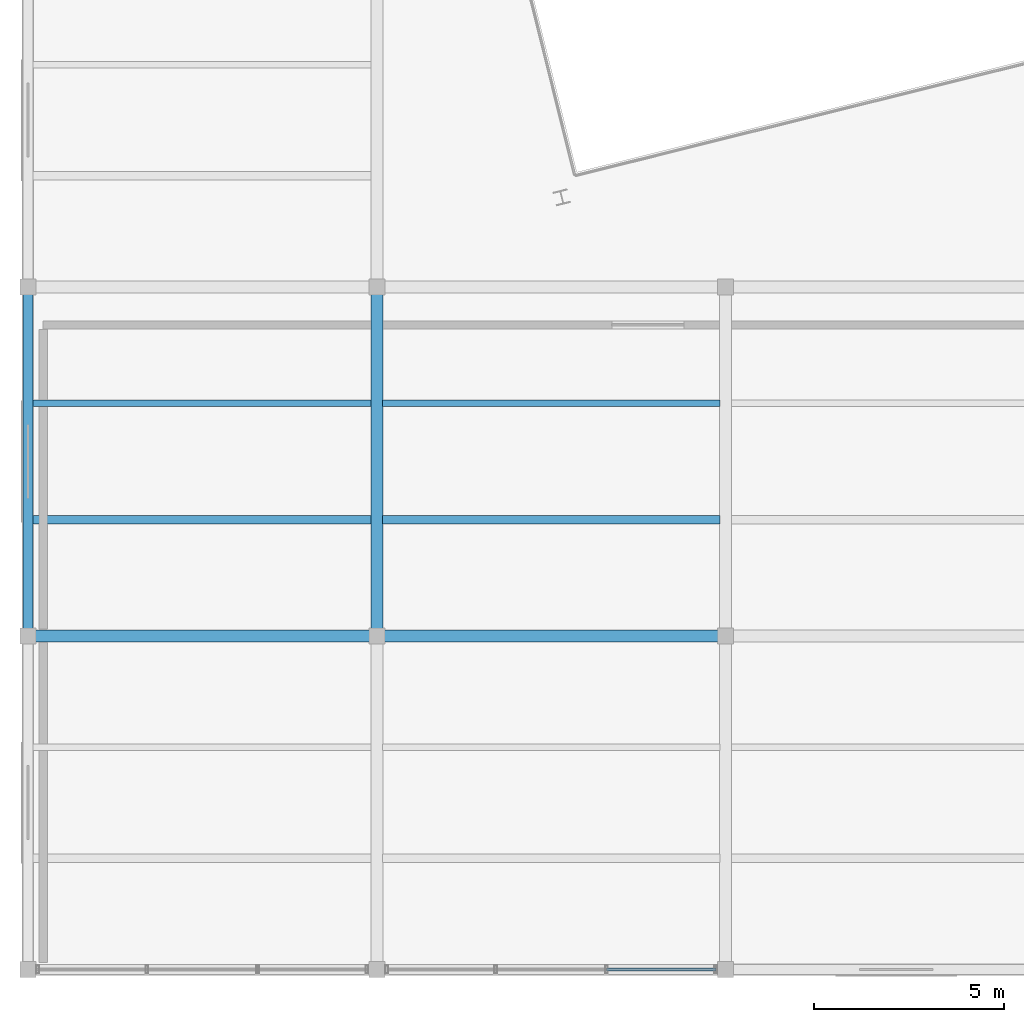
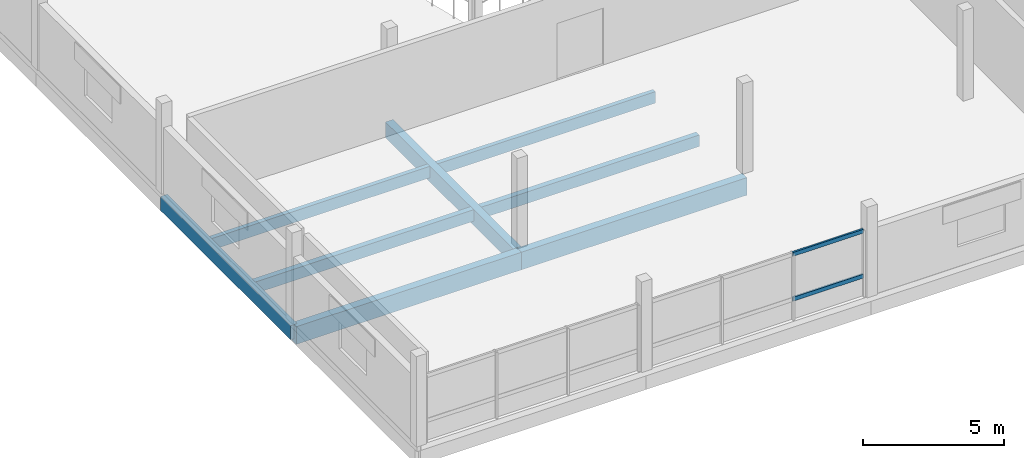
# One storey, part 7 of 47: 8 beams, 2 members, 1 element without a shape of its own.
"""IFC4 building model written with IfcOpenShell, lengths in metres."""

import ifcopenshell
import ifcopenshell.guid

model = None  # the IFC model being written
_history = None  # IfcOwnerHistory: only IFC2X3 demands one
_inside = {}  # id of a spatial element -> (the spatial element, [elements in it])
_under = {}  # id of a project, library or spatial element -> (it, [spatial elements below it])
_declared = {}  # id of a project -> (the project, [libraries it declares])
_typed = {}  # id of a type object -> (the type object, [elements of that type])
_made_of = {}  # id of a material, layer set ... -> (it, [elements and type objects made of it])


def new_model(schema):
    """Start an empty IFC model of exactly this schema.

    Asked for "IFC4X3", IfcOpenShell would pick the latest addendum, in which some entities
    have other attributes; the version numbers below select the first issue.
    IFC2X3 requires an IfcOwnerHistory on every rooted entity: one is made here for all.
    """
    global model, _history
    if schema == "IFC4X3":
        model = ifcopenshell.file(schema_version=(4, 3, 0, 0))
    else:
        model = ifcopenshell.file(schema=schema)
    _inside.clear()
    _under.clear()
    _declared.clear()
    _typed.clear()
    _made_of.clear()
    _history = None
    if model.schema == "IFC2X3":
        org = make("IfcOrganization", Name="unknown")
        user = make(
            "IfcPersonAndOrganization",
            ThePerson=make("IfcPerson", FamilyName="unknown"),
            TheOrganization=org,
        )
        app = make(
            "IfcApplication",
            ApplicationDeveloper=org,
            Version="unknown",
            ApplicationFullName="unknown",
            ApplicationIdentifier="unknown",
        )
        _history = make(
            "IfcOwnerHistory",
            OwningUser=user,
            OwningApplication=app,
            ChangeAction="ADDED",
            CreationDate=0,
        )
    return model


def make(cls, **values):
    """One entity of the class cls with the attributes given. An attribute that is None is left unset."""
    return model.create_entity(
        cls, **{name: value for name, value in values.items() if value is not None}
    )


def rooted(cls, **values):
    """An entity with a GlobalId (a new one), such as an element, a storey or a relation."""
    return make(cls, GlobalId=ifcopenshell.guid.new(), OwnerHistory=_history, **values)


def si_unit(unit_type, name, prefix=None):
    """IfcSIUnit, for example si_unit("LENGTHUNIT", "METRE", prefix="MILLI")."""
    return make("IfcSIUnit", UnitType=unit_type, Prefix=prefix, Name=name)


def assignment(units):
    """IfcUnitAssignment: the units of a project."""
    return None if units is None else make("IfcUnitAssignment", Units=units)


def point(xyz):
    """IfcCartesianPoint."""
    return None if xyz is None else make("IfcCartesianPoint", Coordinates=xyz)


def direction(xyz):
    """IfcDirection."""
    return None if xyz is None else make("IfcDirection", DirectionRatios=xyz)


def frame(location, z_axis=None, x_axis=None):
    """IfcAxis2Placement3D, a coordinate frame: its origin and axes. An axis left out is left unset."""
    return make(
        "IfcAxis2Placement3D",
        Location=point(location),
        Axis=direction(z_axis),
        RefDirection=direction(x_axis),
    )


def frame_2d(location, x_axis=None):
    """IfcAxis2Placement2D, a coordinate frame in the plane: its origin and x axis."""
    return make(
        "IfcAxis2Placement2D", Location=point(location), RefDirection=direction(x_axis)
    )


def origin():
    """The frame at (0, 0, 0) with its axes left unset."""
    return frame((0.0, 0.0, 0.0))


def origin_2d():
    """The frame at (0, 0) in the plane with its x axis left unset."""
    return frame_2d((0.0, 0.0))


def place(relative_to, where):
    """IfcLocalPlacement: puts the frame where relative to a parent placement (None: the world)."""
    return make(
        "IfcLocalPlacement", PlacementRelTo=relative_to, RelativePlacement=where
    )


def context(
    kind, dimensions, precision=None, world=None, true_north=None, identifier=None
):
    """IfcGeometricRepresentationContext, for example the 3D "Model" context."""
    return make(
        "IfcGeometricRepresentationContext",
        ContextIdentifier=identifier,
        ContextType=kind,
        CoordinateSpaceDimension=dimensions,
        Precision=precision,
        WorldCoordinateSystem=world,
        TrueNorth=true_north,
    )


def subcontext(parent, identifier, kind, view, scale=None):
    """IfcGeometricRepresentationSubContext, for example "Body" below "Model"."""
    return make(
        "IfcGeometricRepresentationSubContext",
        ContextIdentifier=identifier,
        ContextType=kind,
        ParentContext=parent,
        TargetScale=scale,
        TargetView=view,
    )


def project(units=None, contexts=None):
    """IfcProject with its units and contexts."""
    return rooted(
        "IfcProject",
        Name="project",
        RepresentationContexts=contexts,
        UnitsInContext=assignment(units),
    )


def spatial(cls, under=None, at=None, **own):
    """A site, building, storey or space (cls), placed at a placement, below another one or the project."""
    s = rooted(cls, ObjectPlacement=at, **own)
    if under is not None:
        _under.setdefault(under.id(), (under, []))[1].append(s)
    return s


def profile(cls, at=None, kind="AREA", **sizes):
    """A parametric profile (cls). Its sizes go by their IFC names, for example OverallWidth=200.0."""
    return make(cls, ProfileType=kind, Position=at, **sizes)


def rectangle(**sizes):
    """IfcRectangleProfileDef."""
    return profile("IfcRectangleProfileDef", **sizes)


def hollow_rectangle(**sizes):
    """IfcRectangleHollowProfileDef."""
    return profile("IfcRectangleHollowProfileDef", **sizes)


def extrude(swept, where, along, depth):
    """IfcExtrudedAreaSolid: the profile swept, set in the frame where, extruded along a direction by depth."""
    return make(
        "IfcExtrudedAreaSolid",
        SweptArea=swept,
        Position=where,
        ExtrudedDirection=direction(along),
        Depth=depth,
    )


def shape(context_of_items, identifier, shape_type, items):
    """IfcShapeRepresentation: the items that make up one representation, for example the "Body"."""
    return make(
        "IfcShapeRepresentation",
        ContextOfItems=context_of_items,
        RepresentationIdentifier=identifier,
        RepresentationType=shape_type,
        Items=items,
    )


def material(Name=None, Category=None):
    """IfcMaterial."""
    return make("IfcMaterial", Name=Name, Category=Category)


def layer(
    of_material, thickness, ventilated=None, Name=None, Category=None, Priority=None
):
    """IfcMaterialLayer: one layer of a wall or slab, of a material (None: an air gap)."""
    return make(
        "IfcMaterialLayer",
        Material=of_material,
        LayerThickness=thickness,
        IsVentilated=ventilated,
        Name=Name,
        Category=Category,
        Priority=Priority,
    )


def layer_set(layers, Name=None):
    """IfcMaterialLayerSet."""
    return make("IfcMaterialLayerSet", MaterialLayers=layers, LayerSetName=Name)


def material_profile(
    of_material, cross_section, Name=None, Category=None, Priority=None
):
    """IfcMaterialProfile: a cross section and its material."""
    return make(
        "IfcMaterialProfile",
        Name=Name,
        Material=of_material,
        Profile=cross_section,
        Priority=Priority,
        Category=Category,
    )


def profile_set(profiles, Name=None, composite=None):
    """IfcMaterialProfileSet."""
    return make(
        "IfcMaterialProfileSet",
        Name=Name,
        MaterialProfiles=profiles,
        CompositeProfile=composite,
    )


def made_of(thing, what):
    """Note that an element or type object is made of a material, layer set ...; save() writes the relation."""
    if what is not None:
        _made_of.setdefault(what.id(), (what, []))[1].append(thing)
    return thing


def type_object(cls, material=None, **own):
    """A type object (cls), such as IfcWallType, which elements share."""
    return made_of(rooted(cls, **own), material)


def element(
    cls,
    number,
    at=None,
    inside=None,
    cuts=None,
    type_object=None,
    material=None,
    context=None,
    identifier="Body",
    shape_type=None,
    held_by="IfcProductDefinitionShape",
    body=None,
    shapes=None,
    **own,
):
    """One element of the class cls, such as IfcWall. Its Tag is "e" and its number.

    at: its placement. inside: the storey or other place that contains it. cuts: it is an
    opening in that element (IfcRelVoidsElement). A single representation is given by context,
    identifier, shape_type and body (its items); several are given by shapes. held_by: the class
    of the entity that holds the representations. save() writes the other relations.
    """
    e = rooted(cls, Tag="e%d" % number, ObjectPlacement=at, **own)
    if body is not None:
        shapes = [shape(context, identifier, shape_type, body)]
    if shapes is not None:
        e.Representation = make(held_by, Representations=shapes)
    if inside is not None:
        _inside.setdefault(inside.id(), (inside, []))[1].append(e)
    if cuts is not None:
        rooted(
            "IfcRelVoidsElement", RelatingBuildingElement=cuts, RelatedOpeningElement=e
        )
    if type_object is not None:
        _typed.setdefault(type_object.id(), (type_object, []))[1].append(e)
    return made_of(e, material)


def aggregate(whole, parts):
    """IfcRelAggregates: a whole, such as a stair, and the parts it consists of."""
    return rooted("IfcRelAggregates", RelatingObject=whole, RelatedObjects=parts)


def save(model, path):
    """Write the relations noted so far, then the file.

    IfcRelAggregates (storeys below a building ...), IfcRelContainedInSpatialStructure (elements
    in a storey), IfcRelDefinesByType, IfcRelAssociatesMaterial and IfcRelDeclares: one each for
    every whole, place, type object, material and project.
    """
    for whole, parts in _under.values():
        aggregate(whole, parts)
    for where, things in _inside.values():
        rooted(
            "IfcRelContainedInSpatialStructure",
            RelatedElements=things,
            RelatingStructure=where,
        )
    for kind, things in _typed.values():
        rooted("IfcRelDefinesByType", RelatedObjects=things, RelatingType=kind)
    for what, things in _made_of.values():
        rooted("IfcRelAssociatesMaterial", RelatedObjects=things, RelatingMaterial=what)
    for by, libraries in _declared.values():
        rooted("IfcRelDeclares", RelatingContext=by, RelatedDefinitions=libraries)
    model.write(path)


model = new_model("IFC4")

# Units and contexts
model_context = context("Model", 3, precision=1e-05, world=origin(), true_north=direction((0.0, 1.0)))
body_context = subcontext(model_context, "Body", "Model", "MODEL_VIEW")
ifc_project = project(units=[si_unit("LENGTHUNIT", "METRE"), si_unit("AREAUNIT", "SQUARE_METRE"), si_unit("VOLUMEUNIT", "CUBIC_METRE"), si_unit("PLANEANGLEUNIT", "RADIAN"), si_unit("MASSUNIT", "GRAM", prefix="KILO")], contexts=[model_context])

# Site, building, storey
site_placement = place(None, origin())
site = spatial("IfcSite", under=ifc_project, at=site_placement, CompositionType="ELEMENT")
building_placement = place(site_placement, origin())
building = spatial("IfcBuilding", under=site, at=building_placement, Name="Meriwether Solvik Hall", CompositionType="ELEMENT")
storey_placement = place(building_placement, frame((0.0, 0.0, 18.300048828125)))
storey = spatial("IfcBuildingStorey", under=building, at=storey_placement, Name="L04", CompositionType="ELEMENT", Elevation=18.300048828125)

# Beams
ifc_material_1 = material(Name="Glulam Douglas-Fir 24F-V8 GL28h", Category="wood")
ifc_material_profile_1 = material_profile(ifc_material_1, rectangle(XDim=0.27294921875, YDim=0.610107421875, at=origin_2d()), Name="GLB-273X610")
ifc_profile_set_1 = profile_set([ifc_material_profile_1], Name="Glulam Douglas-Fir 24F-V8 GL28h")
beam_type_1 = type_object("IfcBeamType", Name="BM-GL-273X610", PredefinedType="SPANDREL", material=ifc_profile_set_1)
beam_1_placement = place(storey_placement, frame((59.39990234375, 14.0, -0.550048828125), z_axis=(0.0, 1.0, 0.0), x_axis=(-1.0, 0.0, 0.0)))
element("IfcBeam", 1, at=beam_1_placement, inside=storey, type_object=beam_type_1, Name="Podium Girder 7:B-C (L04)", PredefinedType="SPANDREL", context=body_context, shape_type="SweptSolid", body=[
    extrude(rectangle(XDim=0.27294921875, YDim=0.610107421875, at=origin_2d()), origin(), (0.0, 0.0, 1.0), 9.199951171875),
])
ifc_material_2 = material(Name="Glulam Douglas-Fir 24F-V8 GL28h", Category="wood")
ifc_material_profile_2 = material_profile(ifc_material_2, rectangle(XDim=0.31494140625, YDim=0.68505859375, at=origin_2d()), Name="GLB-315X685")
ifc_profile_set_2 = profile_set([ifc_material_profile_2], Name="Glulam Douglas-Fir 24F-V8 GL28h")
beam_type_2 = type_object("IfcBeamType", Name="BM-GL-315X685", PredefinedType="BEAM", material=ifc_profile_set_2)
beam_2_placement = place(storey_placement, frame((68.60009765625, 14.0, -0.587646484375), z_axis=(0.0, 1.0, 0.0), x_axis=(-1.0, 0.0, 0.0)))
element("IfcBeam", 2, at=beam_2_placement, inside=storey, type_object=beam_type_2, Name="Podium Girder 8:B-C (L04)", PredefinedType="BEAM", context=body_context, shape_type="SweptSolid", body=[
    extrude(rectangle(XDim=0.31494140625, YDim=0.68505859375, at=origin_2d()), origin(), (0.0, 0.0, 1.0), 9.199951171875),
])
ifc_material_3 = material(Name="Glulam Douglas-Fir 24F-V8 GL28h", Category="wood")
ifc_material_profile_3 = material_profile(ifc_material_3, rectangle(XDim=0.31494140625, YDim=0.760009765625, at=origin_2d()), Name="GLB-315X760")
ifc_profile_set_3 = profile_set([ifc_material_profile_3], Name="Glulam Douglas-Fir 24F-V8 GL28h")
beam_type_3 = type_object("IfcBeamType", Name="BM-GL-315X760", PredefinedType="BEAM", material=ifc_profile_set_3)
beam_3_placement = place(storey_placement, frame((59.39990234375, 14.0, -0.625), z_axis=(1.0, 0.0, 0.0), x_axis=(0.0, 1.0, 0.0)))
element("IfcBeam", 3, at=beam_3_placement, inside=storey, type_object=beam_type_3, Name="Podium Girder B:7-8 (L04)", PredefinedType="BEAM", context=body_context, shape_type="SweptSolid", body=[
    extrude(rectangle(XDim=0.31494140625, YDim=0.760009765625, at=origin_2d()), origin(), (0.0, 0.0, 1.0), 9.2001953125),
])
beam_4_placement = place(storey_placement, frame((68.60009765625, 14.0, -0.625), z_axis=(1.0, 0.0, 0.0), x_axis=(0.0, 1.0, 0.0)))
element("IfcBeam", 4, at=beam_4_placement, inside=storey, type_object=beam_type_3, Name="Podium Girder B:8-9 (L04)", PredefinedType="BEAM", context=body_context, shape_type="SweptSolid", body=[
    extrude(rectangle(XDim=0.31494140625, YDim=0.760009765625, at=origin_2d()), origin(), (0.0, 0.0, 1.0), 9.199951171875),
])

# Curtain wall, members
ifc_material_4 = material(Name="Thermally Broken Anodised Aluminium 6063-T6 and Low-E Glass", Category="aluminium")
ifc_layer = layer(ifc_material_4, 0.179931640625)
ifc_layer_set = layer_set([ifc_layer], Name="Thermally Broken Anodised Aluminium 6063-T6 and Low-E Glass")
curtain_wall_type = type_object("IfcCurtainWallType", Name="CW-UNIT-E", PredefinedType="USERDEFINED", material=ifc_layer_set)
curtain_wall_placement = place(storey_placement, origin())
curtain_wall = element("IfcCurtainWall", 5, at=curtain_wall_placement, inside=storey, type_object=curtain_wall_type, Name="Curtain Wall wing_XA_8_1 (L04)", ObjectType="UNITISED CURTAIN WALL", PredefinedType="USERDEFINED")
ifc_material_5 = material(Name="Anodised Aluminium 6063-T6", Category="aluminium")
ifc_material_profile_4 = material_profile(ifc_material_5, hollow_rectangle(XDim=0.074951171875, YDim=0.169921875, WallThickness=0.005615234375, at=origin_2d()), Name="CWT-75X170")
ifc_profile_set_4 = profile_set([ifc_material_profile_4], Name="Anodised Aluminium 6063-T6")
member_type = type_object("IfcMemberType", Name="CW-TRN-75X170", PredefinedType="USERDEFINED", material=ifc_profile_set_4)
member_1_placement = place(storey_placement, frame((77.5400390625, 5.199951171875, 0.8564453125), z_axis=(-1.0, 0.0, 0.0), x_axis=(0.0, -1.0, 0.0)))
member_1 = element("IfcMember", 6, at=member_1_placement, type_object=member_type, Name="Curtain Wall Transom 1-sill", ObjectType="TRANSOM", PredefinedType="USERDEFINED", context=body_context, shape_type="SweptSolid", body=[
    extrude(hollow_rectangle(XDim=0.074951171875, YDim=0.169921875, WallThickness=0.005615234375, at=origin_2d()), origin(), (0.0, 0.0, 1.0), 2.880615234375),
])
member_2_placement = place(storey_placement, frame((77.5400390625, 5.199951171875, 2.794921875), z_axis=(-1.0, 0.0, 0.0), x_axis=(0.0, -1.0, 0.0)))
member_2 = element("IfcMember", 7, at=member_2_placement, type_object=member_type, Name="Curtain Wall Transom 1-head", ObjectType="TRANSOM", PredefinedType="USERDEFINED", context=body_context, shape_type="SweptSolid", body=[
    extrude(hollow_rectangle(XDim=0.074951171875, YDim=0.169921875, WallThickness=0.005615234375, at=origin_2d()), origin(), (0.0, 0.0, 1.0), 2.880615234375),
])
aggregate(curtain_wall, [member_1, member_2])

# Beams
ifc_material_6 = material(Name="Glulam Douglas-Fir 24F-V8 GL28h", Category="wood")
ifc_material_profile_5 = material_profile(ifc_material_6, rectangle(XDim=0.175048828125, YDim=0.4951171875, at=origin_2d()), Name="GLJ-175X495")
ifc_profile_set_5 = profile_set([ifc_material_profile_5], Name="Glulam Douglas-Fir 24F-V8 GL28h")
beam_type_4 = type_object("IfcBeamType", Name="JST-GL-175X495", PredefinedType="JOIST", material=ifc_profile_set_5)
beam_5_placement = place(storey_placement, frame((59.531494140625, 20.13330078125, -0.492431640625), z_axis=(1.0, 0.0, 0.0), x_axis=(0.0, 1.0, 0.0)))
element("IfcBeam", 8, at=beam_5_placement, inside=storey, type_object=beam_type_4, Name="Secondary Floor Joist 7/B_J2 (L04)", PredefinedType="JOIST", context=body_context, shape_type="SweptSolid", body=[
    extrude(rectangle(XDim=0.175048828125, YDim=0.4951171875, at=origin_2d()), origin(), (0.0, 0.0, 1.0), 8.916015625),
])
beam_6_placement = place(storey_placement, frame((68.75244140625, 20.13330078125, -0.492431640625), z_axis=(1.0, 0.0, 0.0), x_axis=(0.0, 1.0, 0.0)))
element("IfcBeam", 9, at=beam_6_placement, inside=storey, type_object=beam_type_4, Name="Secondary Floor Joist 8/B_J2 (L04)", PredefinedType="JOIST", context=body_context, shape_type="SweptSolid", body=[
    extrude(rectangle(XDim=0.175048828125, YDim=0.4951171875, at=origin_2d()), origin(), (0.0, 0.0, 1.0), 8.89501953125),
])
ifc_material_7 = material(Name="Glulam Douglas-Fir 24F-V8 GL28h", Category="wood")
ifc_material_profile_6 = material_profile(ifc_material_7, rectangle(XDim=0.221923828125, YDim=0.4951171875, at=origin_2d()), Name="GLJ-222X495")
ifc_profile_set_6 = profile_set([ifc_material_profile_6], Name="Glulam Douglas-Fir 24F-V8 GL28h")
beam_type_5 = type_object("IfcBeamType", Name="JST-GL-222X495", PredefinedType="JOIST", material=ifc_profile_set_6)
beam_7_placement = place(storey_placement, frame((59.531494140625, 17.066650390625, -0.492431640625), z_axis=(1.0, 0.0, 0.0), x_axis=(0.0, 1.0, 0.0)))
element("IfcBeam", 10, at=beam_7_placement, inside=storey, type_object=beam_type_5, Name="Secondary Floor Joist 7/B_J1 (L04)", PredefinedType="JOIST", context=body_context, shape_type="SweptSolid", body=[
    extrude(rectangle(XDim=0.221923828125, YDim=0.4951171875, at=origin_2d()), origin(), (0.0, 0.0, 1.0), 8.916015625),
])
beam_8_placement = place(storey_placement, frame((68.75244140625, 17.066650390625, -0.492431640625), z_axis=(1.0, 0.0, 0.0), x_axis=(0.0, 1.0, 0.0)))
element("IfcBeam", 11, at=beam_8_placement, inside=storey, type_object=beam_type_5, Name="Secondary Floor Joist 8/B_J1 (L04)", PredefinedType="JOIST", context=body_context, shape_type="SweptSolid", body=[
    extrude(rectangle(XDim=0.221923828125, YDim=0.4951171875, at=origin_2d()), origin(), (0.0, 0.0, 1.0), 8.89501953125),
])

save(model, "model.ifc")
